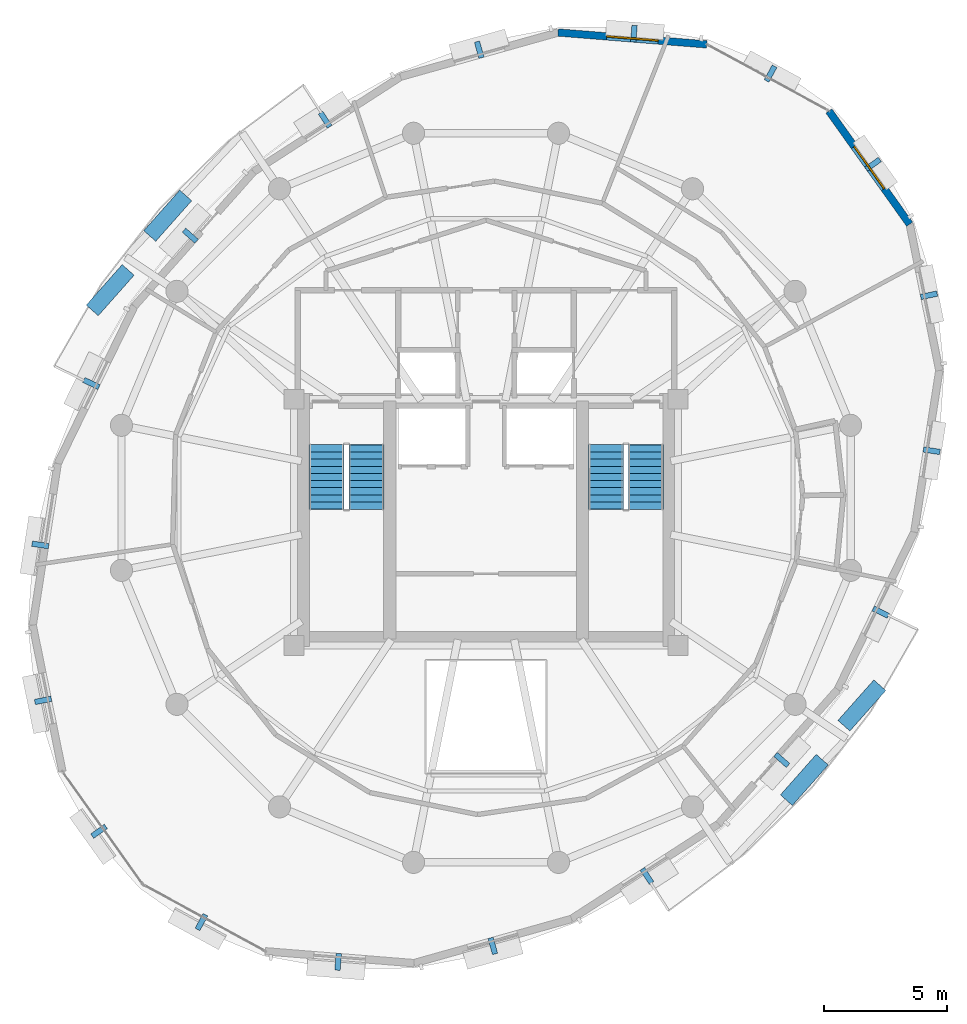
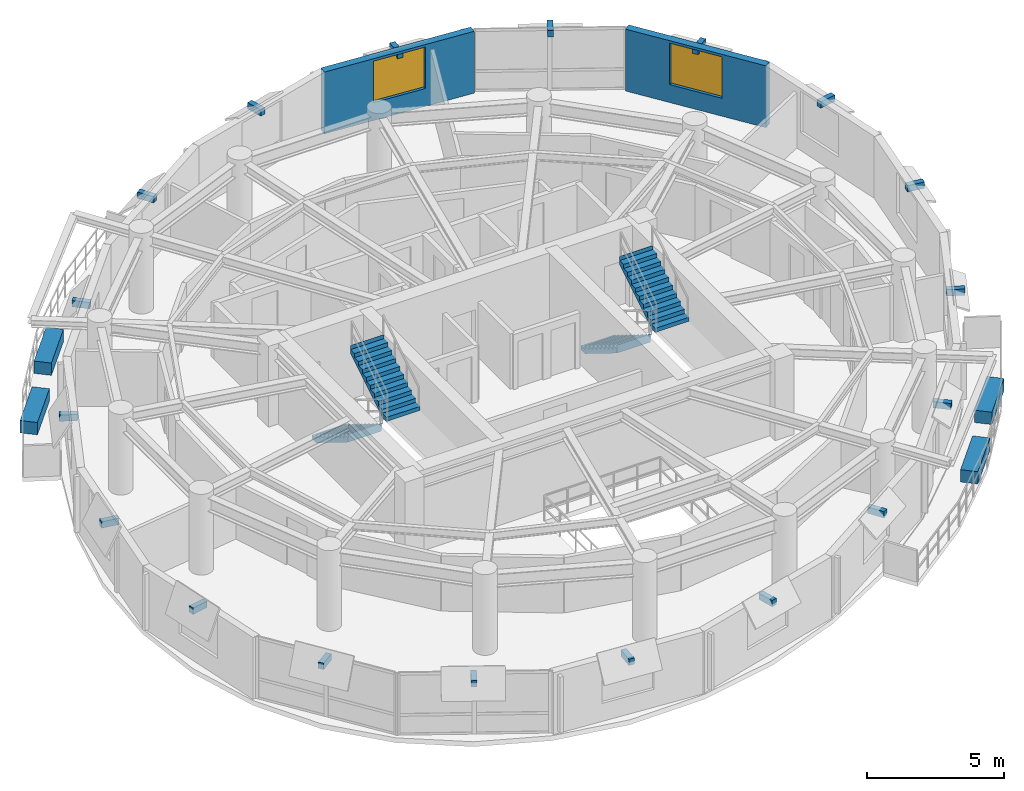
# One storey, part 9 of 11: 22 discrete accessories, 4 stair flights, 2 walls, 2 windows, 2 openings, 2 elements without a shape of their own.
"""IFC4 building model written with IfcOpenShell, lengths in metres."""

from ifc_helpers import new_model, si_unit, direction, frame, frame_2d, origin, origin_2d, place, context, subcontext, project, spatial, polyline, rectangle, outline, extrude, material, layer, layer_set, type_object, element, fill, aggregate, save


model = new_model("IFC4")

# Units and contexts
model_context = context("Model", 3, precision=1e-05, world=origin(), true_north=direction((0.0, 1.0)))
body_context = subcontext(model_context, "Body", "Model", "MODEL_VIEW")
ifc_project = project(units=[si_unit("LENGTHUNIT", "METRE"), si_unit("AREAUNIT", "SQUARE_METRE"), si_unit("VOLUMEUNIT", "CUBIC_METRE"), si_unit("PLANEANGLEUNIT", "RADIAN"), si_unit("MASSUNIT", "GRAM", prefix="KILO"), si_unit("THERMODYNAMICTEMPERATUREUNIT", "KELVIN"), si_unit("POWERUNIT", "WATT")], contexts=[model_context])

# Site, building, storey
site_placement = place(None, origin())
site = spatial("IfcSite", under=ifc_project, at=site_placement, CompositionType="ELEMENT")
building_placement = place(site_placement, origin())
building = spatial("IfcBuilding", under=site, at=building_placement, Name="Ocrelia Relay Tower", CompositionType="ELEMENT")
storey_placement = place(building_placement, frame((0.0, 0.0, 234.0)))
storey = spatial("IfcBuildingStorey", under=building, at=storey_placement, Name="L57", CompositionType="ELEMENT", Elevation=234.0)

# Wall, opening, window
ifc_material_1 = material(Name="Precast concrete C40/50 with oxide terracotta", Category="masonry")
ifc_layer = layer(ifc_material_1, 0.300048828125, Name="Precast concrete C40/50 with oxide terracotta")
ifc_layer_set = layer_set([ifc_layer], Name="Precast concrete C40/50 with oxide terracotta")
wall_type = type_object("IfcWallType", Name="W-EXT-TERR-300", PredefinedType="SOLIDWALL", material=ifc_layer_set)
wall_1_placement = place(storey_placement, frame((42.9677734375, 44.42041015625, 0.0), z_axis=(0.0, 0.0, 1.0), x_axis=(-0.996821678443, 0.079665183029, 0.0)))
wall_1 = element("IfcWall", 1, at=wall_1_placement, inside=storey, type_object=wall_type, Name="L57 Oxide Terracotta Facade Wall 02", PredefinedType="SOLIDWALL", context=body_context, shape_type="SweptSolid", body=[
    extrude(rectangle(XDim=6.061767578125, YDim=0.300048828125, at=frame_2d((3.03076171875, 0.0))), origin(), (0.0, 0.0, 1.0), 2.760009765625),
])
opening_1_placement = place(wall_1_placement, frame((1.98095703125, 0.0, 0.800048828125)))
opening_1 = element("IfcOpeningElement", 2, at=opening_1_placement, cuts=wall_1, Name="Opening W-07", PredefinedType="OPENING", context=body_context, shape_type="SweptSolid", body=[
    extrude(rectangle(XDim=2.10009765625, YDim=1.85009765625, at=frame_2d((1.050048828125, 0.925048828125))), frame((0.0, 0.16015625, 0.0), z_axis=(0.0, -1.0, 0.0), x_axis=(1.0, 0.0, 0.0)), (0.0, 0.0, 1.0), 0.320068359375),
])
ifc_material_2 = material(Name="Clear double-glazed low-E glass", Category="glass")
window_type = type_object("IfcWindowType", Name="WIN-Z4-2100x2200", PartitioningType="DOUBLE_PANEL_VERTICAL", PredefinedType="WINDOW", material=ifc_material_2)
window_1_placement = place(opening_1_placement, origin())
window_1 = element("IfcWindow", 3, at=window_1_placement, inside=storey, type_object=window_type, Name="L57 Facade Module Window 02", OverallHeight=1.85009765625, OverallWidth=2.10009765625, PartitioningType="SINGLE_PANEL", PredefinedType="WINDOW", context=body_context, shape_type="SweptSolid", body=[
    extrude(rectangle(XDim=2.10009765625, YDim=1.85009765625, at=frame_2d((1.050048828125, 0.925048828125))), frame((0.0, 0.030029296875, 0.0), z_axis=(0.0, -1.0, 0.0), x_axis=(1.0, 0.0, 0.0)), (0.0, 0.0, 1.0), 0.06005859375),
])
fill(opening_1, window_1)

wall_2_placement = place(storey_placement, frame((51.209716796875, 37.11572265625, 0.0), z_axis=(0.0, 0.0, 1.0), x_axis=(-0.580678098199, 0.814133248475, 0.0)))
wall_2 = element("IfcWall", 4, at=wall_2_placement, inside=storey, type_object=wall_type, Name="L57 Oxide Terracotta Facade Wall 18", PredefinedType="SOLIDWALL", context=body_context, shape_type="SweptSolid", body=[
    extrude(rectangle(XDim=5.650390625, YDim=0.300048828125, at=frame_2d((2.8251953125, 0.0))), origin(), (0.0, 0.0, 1.0), 2.760009765625),
])
opening_2_placement = place(wall_2_placement, frame((1.77490234375, 0.0, 0.800048828125)))
opening_2 = element("IfcOpeningElement", 5, at=opening_2_placement, cuts=wall_2, Name="Opening W-07", PredefinedType="OPENING", context=body_context, shape_type="SweptSolid", body=[
    extrude(rectangle(XDim=2.10009765625, YDim=1.85009765625, at=frame_2d((1.050048828125, 0.925048828125))), frame((0.0, 0.16015625, 0.0), z_axis=(0.0, -1.0, 0.0), x_axis=(1.0, 0.0, 0.0)), (0.0, 0.0, 1.0), 0.320068359375),
])
window_2_placement = place(opening_2_placement, origin())
window_2 = element("IfcWindow", 6, at=window_2_placement, inside=storey, type_object=window_type, Name="L57 Facade Module Window 18", OverallHeight=1.85009765625, OverallWidth=2.10009765625, PartitioningType="SINGLE_PANEL", PredefinedType="WINDOW", context=body_context, shape_type="SweptSolid", body=[
    extrude(rectangle(XDim=2.10009765625, YDim=1.85009765625, at=frame_2d((1.050048828125, 0.925048828125))), frame((0.0, 0.030029296875, 0.0), z_axis=(0.0, -1.0, 0.0), x_axis=(1.0, 0.0, 0.0)), (0.0, 0.0, 1.0), 0.06005859375),
])
fill(opening_2, window_2)

# Stair, stair flights
ifc_material_3 = material(Name="Concrete C50/60", Category="concrete")
stair_type = type_object("IfcStairType", Name="ST-DL-1420-R180", PredefinedType="HALF_TURN_STAIR", material=ifc_material_3)
stair_1_placement = place(storey_placement, origin())
stair_1 = element("IfcStair", 7, at=stair_1_placement, inside=storey, type_object=stair_type, Name="L57 West Core Exit Stair ST1", PredefinedType="HALF_TURN_STAIR")
stair_flight_type = type_object("IfcStairFlightType", Name="STF-DL-1420-R180", PredefinedType="STRAIGHT", material=ifc_material_3)
stair_flight_1_placement = place(storey_placement, frame((27.52001953125, 28.14990234375, 0.0), z_axis=(0.0, 0.0, 1.0), x_axis=(0.0, -1.0, 0.0)))
stair_flight_1 = element("IfcStairFlight", 8, at=stair_flight_1_placement, type_object=stair_flight_type, Name="ST1 flight 1", NumberOfRisers=10, NumberOfTreads=9, PredefinedType="STRAIGHT", RiserHeight=0.18, TreadLength=0.29, context=body_context, shape_type="SweptSolid", body=[
    extrude(outline(polyline([(-0.008056640625, 0.0), (-0.008056640625, 0.179931640625), (0.0, 0.179931640625), (0.2900390625, 0.179931640625), (0.2900390625, 0.360107421875), (0.580078125, 0.360107421875), (0.580078125, 0.5400390625), (0.8701171875, 0.5400390625), (0.8701171875, 0.719970703125), (1.159912109375, 0.719970703125), (1.159912109375, 0.89990234375), (1.449951171875, 0.89990234375), (1.449951171875, 1.080078125), (1.739990234375, 1.080078125), (1.739990234375, 1.260009765625), (2.030029296875, 1.260009765625), (2.030029296875, 1.43994140625), (2.320068359375, 1.43994140625), (2.320068359375, 1.6201171875), (2.610107421875, 1.6201171875), (2.610107421875, 1.800048828125), (2.617919921875, 1.800048828125), (2.617919921875, 1.443603515625), (0.2841796875, 0.0), (-0.008056640625, 0.0)])), frame((0.0, 0.7099609375, 0.0), z_axis=(0.0, -1.0, 0.0), x_axis=(1.0, 0.0, 0.0)), (0.0, 0.0, 1.0), 1.419921875),
])
stair_flight_2_placement = place(storey_placement, frame((29.139892578125, 25.5400390625, 1.800048828125), z_axis=(0.0, 0.0, 1.0), x_axis=(0.0, 1.0, 0.0)))
stair_flight_2 = element("IfcStairFlight", 9, at=stair_flight_2_placement, type_object=stair_flight_type, Name="ST1 flight 2", NumberOfRisers=10, NumberOfTreads=9, PredefinedType="STRAIGHT", RiserHeight=0.18, TreadLength=0.29, context=body_context, shape_type="SweptSolid", body=[
    extrude(outline(polyline([(-0.008056640625, 0.0), (-0.008056640625, 0.179931640625), (0.0, 0.179931640625), (0.2900390625, 0.179931640625), (0.2900390625, 0.360107421875), (0.580078125, 0.360107421875), (0.580078125, 0.5400390625), (0.8701171875, 0.5400390625), (0.8701171875, 0.719970703125), (1.159912109375, 0.719970703125), (1.159912109375, 0.89990234375), (1.449951171875, 0.89990234375), (1.449951171875, 1.080078125), (1.739990234375, 1.080078125), (1.739990234375, 1.260009765625), (2.030029296875, 1.260009765625), (2.030029296875, 1.43994140625), (2.320068359375, 1.43994140625), (2.320068359375, 1.6201171875), (2.610107421875, 1.6201171875), (2.610107421875, 1.800048828125), (2.617919921875, 1.800048828125), (2.617919921875, 1.443603515625), (0.2841796875, 0.0), (-0.008056640625, 0.0)])), frame((0.0, 0.7099609375, 0.0), z_axis=(0.0, -1.0, 0.0), x_axis=(1.0, 0.0, 0.0)), (0.0, 0.0, 1.0), 1.419921875),
])
aggregate(stair_1, [stair_flight_1, stair_flight_2])

stair_2_placement = place(storey_placement, origin())
stair_2 = element("IfcStair", 10, at=stair_2_placement, inside=storey, type_object=stair_type, Name="L57 East Core Exit Stair ST2", PredefinedType="HALF_TURN_STAIR")
stair_flight_3_placement = place(storey_placement, frame((38.8701171875, 28.14990234375, 0.0), z_axis=(0.0, 0.0, 1.0), x_axis=(0.0, -1.0, 0.0)))
stair_flight_3 = element("IfcStairFlight", 11, at=stair_flight_3_placement, type_object=stair_flight_type, Name="ST2 flight 1", NumberOfRisers=10, NumberOfTreads=9, PredefinedType="STRAIGHT", RiserHeight=0.18, TreadLength=0.29, context=body_context, shape_type="SweptSolid", body=[
    extrude(outline(polyline([(-0.008056640625, 0.0), (-0.008056640625, 0.179931640625), (0.0, 0.179931640625), (0.2900390625, 0.179931640625), (0.2900390625, 0.360107421875), (0.580078125, 0.360107421875), (0.580078125, 0.5400390625), (0.8701171875, 0.5400390625), (0.8701171875, 0.719970703125), (1.159912109375, 0.719970703125), (1.159912109375, 0.89990234375), (1.449951171875, 0.89990234375), (1.449951171875, 1.080078125), (1.739990234375, 1.080078125), (1.739990234375, 1.260009765625), (2.030029296875, 1.260009765625), (2.030029296875, 1.43994140625), (2.320068359375, 1.43994140625), (2.320068359375, 1.6201171875), (2.610107421875, 1.6201171875), (2.610107421875, 1.800048828125), (2.617919921875, 1.800048828125), (2.617919921875, 1.443603515625), (0.2841796875, 0.0), (-0.008056640625, 0.0)])), frame((0.0, 0.7099609375, 0.0), z_axis=(0.0, -1.0, 0.0), x_axis=(1.0, 0.0, 0.0)), (0.0, 0.0, 1.0), 1.419921875),
])
stair_flight_4_placement = place(storey_placement, frame((40.489990234375, 25.5400390625, 1.800048828125), z_axis=(0.0, 0.0, 1.0), x_axis=(0.0, 1.0, 0.0)))
stair_flight_4 = element("IfcStairFlight", 12, at=stair_flight_4_placement, type_object=stair_flight_type, Name="ST2 flight 2", NumberOfRisers=10, NumberOfTreads=9, PredefinedType="STRAIGHT", RiserHeight=0.18, TreadLength=0.29, context=body_context, shape_type="SweptSolid", body=[
    extrude(outline(polyline([(-0.008056640625, 0.0), (-0.008056640625, 0.179931640625), (0.0, 0.179931640625), (0.2900390625, 0.179931640625), (0.2900390625, 0.360107421875), (0.580078125, 0.360107421875), (0.580078125, 0.5400390625), (0.8701171875, 0.5400390625), (0.8701171875, 0.719970703125), (1.159912109375, 0.719970703125), (1.159912109375, 0.89990234375), (1.449951171875, 0.89990234375), (1.449951171875, 1.080078125), (1.739990234375, 1.080078125), (1.739990234375, 1.260009765625), (2.030029296875, 1.260009765625), (2.030029296875, 1.43994140625), (2.320068359375, 1.43994140625), (2.320068359375, 1.6201171875), (2.610107421875, 1.6201171875), (2.610107421875, 1.800048828125), (2.617919921875, 1.800048828125), (2.617919921875, 1.443603515625), (0.2841796875, 0.0), (-0.008056640625, 0.0)])), frame((0.0, 0.7099609375, 0.0), z_axis=(0.0, -1.0, 0.0), x_axis=(1.0, 0.0, 0.0)), (0.0, 0.0, 1.0), 1.419921875),
])
aggregate(stair_2, [stair_flight_3, stair_flight_4])

# Discrete accessories
ifc_material_4 = material(Name="Precast concrete C40/50 planter with highland greenery", Category="concrete")
discrete_accessory_type_1 = type_object("IfcDiscreteAccessoryType", Name="ACC-BALC-PLANTER", PredefinedType="USERDEFINED", material=ifc_material_4)
for number, where, z_axis, x_axis, name in (
    (13, (21.070068359375, 37.459716796875, 0.0), (0.0, 0.0, 1.0), (0.663283032108, 0.748368638652, 0.0), "L57 Balcony Terracotta Planter with Greenery B1"),
    (14, (18.73291015625, 34.435791015625, 0.0), (0.0, 0.0, 1.0), (0.663283032108, 0.748368638652, 0.0), "L57 Balcony Terracotta Planter B1-2"),
    (15, (46.929931640625, 14.540283203125, 0.0), (0.0, 0.0, 1.0), (-0.663283032108, -0.748368638652, 0.0), "L57 Balcony Terracotta Planter with Greenery B2"),
    (16, (49.26708984375, 17.564208984375, 0.0), (0.0, 0.0, 1.0), (-0.663283032108, -0.748368638652, 0.0), "L57 Balcony Terracotta Planter B2-2"),
):
    element("IfcDiscreteAccessory", number, at=place(storey_placement, frame(where, z_axis=z_axis, x_axis=x_axis)), inside=storey, type_object=discrete_accessory_type_1, Name=name, ObjectType="PLANTER", PredefinedType="USERDEFINED", context=body_context, shape_type="SweptSolid", body=[
        extrude(rectangle(XDim=2.199951171875, YDim=0.64990234375, at=origin_2d()), origin(), (0.0, 0.0, 1.0), 0.550048828125),
    ])
ifc_material_5 = material(Name="Steel S355", Category="steel")
discrete_accessory_type_2 = type_object("IfcDiscreteAccessoryType", Name="ACC-VISOR-BRACKET", PredefinedType="BRACKET", material=ifc_material_5)
for number, where, z_axis, x_axis, name in (
    (17, (45.559814453125, 43.234375, 2.4599609375), (0.0, 0.0, 1.0), (-0.877995656301, 0.478668598842, 0.0), "L57 Visor Mounting Bracket 01"),
    (18, (40.007080078125, 44.852294921875, 2.4599609375), (0.0, 0.0, 1.0), (-0.996824556045, 0.079629168433, 0.0), "L57 Visor Mounting Bracket 02"),
    (19, (33.724365234375, 44.20458984375, 2.4599609375), (0.0, 0.0, 1.0), (-0.962711114518, -0.270531532328, 0.0), "L57 Visor Mounting Bracket 03"),
    (20, (27.462890625, 41.35986328125, 2.4599609375), (0.0, 0.0, 1.0), (-0.840008417794, -0.5425733665, 0.0), "L57 Visor Mounting Bracket 04"),
    (21, (21.984619140625, 36.649169921875, 2.4599609375), (0.0, 0.0, 1.0), (-0.663272087012, -0.748378339204, 0.0), "L57 Visor Mounting Bracket 05"),
    (22, (17.966064453125, 30.644287109375, 2.4599609375), (0.0, 0.0, 1.0), (-0.43772709063, -0.899107887925, 0.0), "L57 Visor Mounting Bracket 06"),
    (23, (15.894287109375, 24.08642578125, 2.4599609375), (0.0, 0.0, 1.0), (-0.15292245042, -0.988238192015, 0.0), "L57 Visor Mounting Bracket 07"),
    (24, (16.005859375, 17.771484375, 2.4599609375), (0.0, 0.0, 1.0), (0.198818312079, -0.980036366051, 0.0), "L57 Visor Mounting Bracket 08"),
    (25, (18.279296875, 12.45361328125, 2.4599609375), (0.0, 0.0, 1.0), (0.580677214758, -0.814133878585, 0.0), "L57 Visor Mounting Bracket 09"),
    (26, (22.440185546875, 8.765625, 2.4599609375), (0.0, 0.0, 1.0), (0.877995656301, -0.478668598842, 0.0), "L57 Visor Mounting Bracket 10"),
    (27, (27.992919921875, 7.147705078125, 2.4599609375), (0.0, 0.0, 1.0), (0.996824556045, -0.079629168433, 0.0), "L57 Visor Mounting Bracket 11"),
    (28, (34.275634765625, 7.79541015625, 2.4599609375), (0.0, 0.0, 1.0), (0.962711114518, 0.270531532328, 0.0), "L57 Visor Mounting Bracket 12"),
    (29, (40.537109375, 10.64013671875, 2.4599609375), (0.0, 0.0, 1.0), (0.840008417794, 0.5425733665, 0.0), "L57 Visor Mounting Bracket 13"),
    (30, (46.015380859375, 15.350830078125, 2.4599609375), (0.0, 0.0, 1.0), (0.663272087012, 0.748378339204, 0.0), "L57 Visor Mounting Bracket 14"),
    (31, (50.033935546875, 21.355712890625, 2.4599609375), (0.0, 0.0, 1.0), (0.43772709063, 0.899107887925, 0.0), "L57 Visor Mounting Bracket 15"),
    (32, (52.105712890625, 27.91357421875, 2.4599609375), (0.0, 0.0, 1.0), (0.15292245042, 0.988238192015, 0.0), "L57 Visor Mounting Bracket 16"),
    (33, (51.994140625, 34.228515625, 2.4599609375), (0.0, 0.0, 1.0), (-0.198818312079, 0.980036366051, 0.0), "L57 Visor Mounting Bracket 17"),
    (34, (49.720703125, 39.54638671875, 2.4599609375), (0.0, 0.0, 1.0), (-0.580677214758, 0.814133878585, 0.0), "L57 Visor Mounting Bracket 18"),
):
    element("IfcDiscreteAccessory", number, at=place(storey_placement, frame(where, z_axis=z_axis, x_axis=x_axis)), inside=storey, type_object=discrete_accessory_type_2, Name=name, PredefinedType="BRACKET", context=body_context, shape_type="SweptSolid", body=[
        extrude(rectangle(XDim=0.219970703125, YDim=0.679931640625, at=origin_2d()), origin(), (0.0, 0.0, 1.0), 0.280029296875),
    ])

save(model, "model.ifc")
